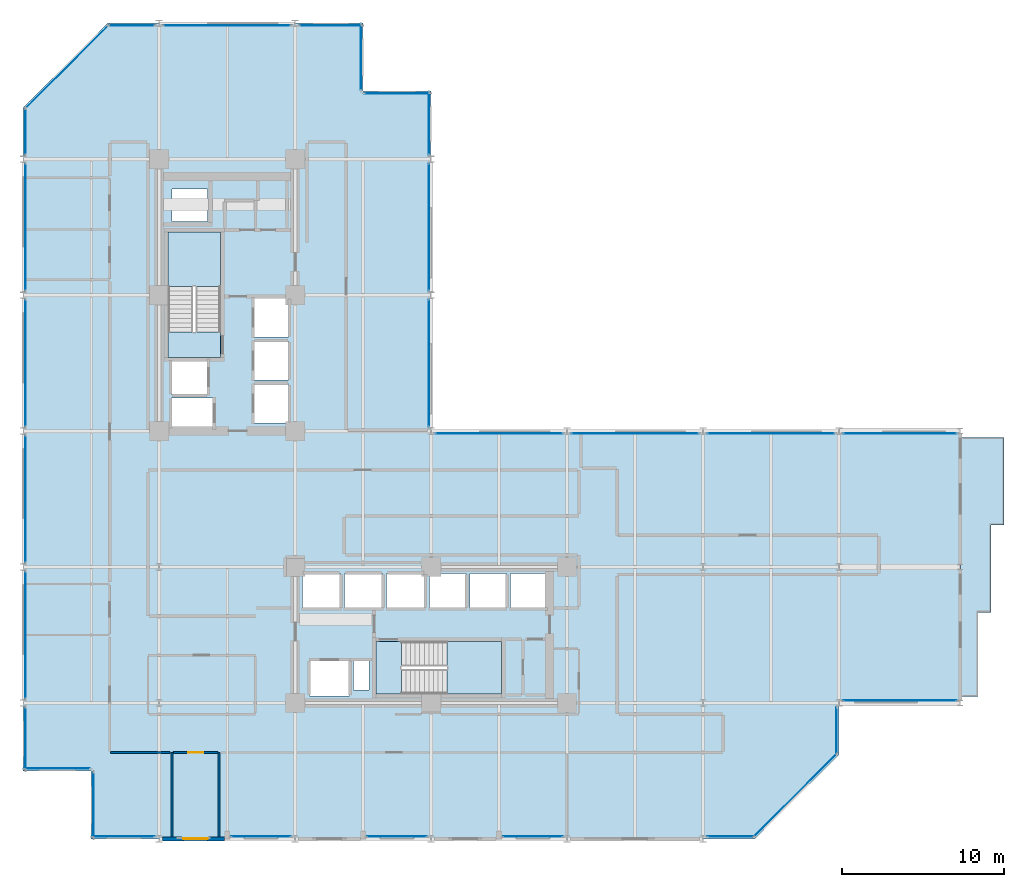
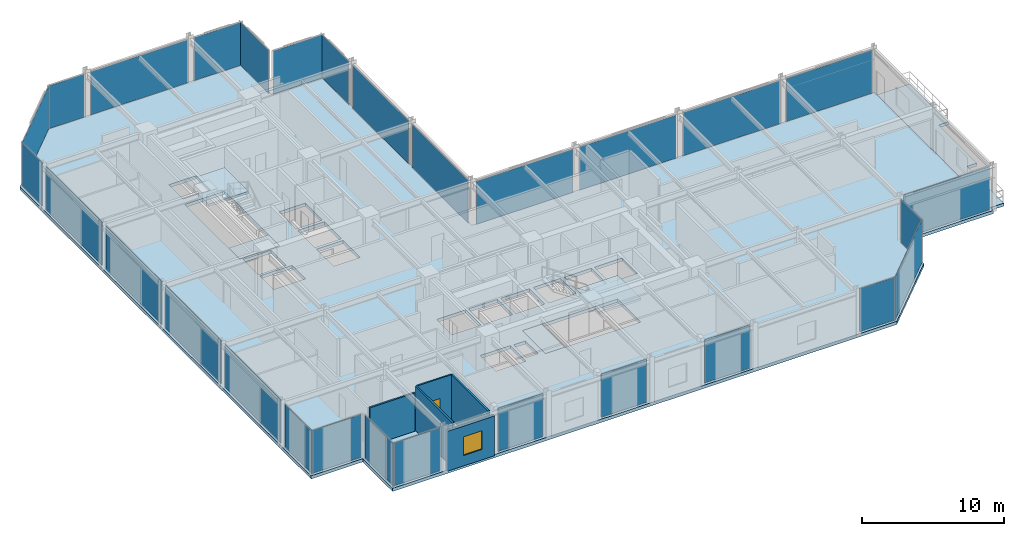
# One storey, part 31 of 38: 29 plates, 6 slabs, 5 walls, 1 door, 1 window, 2 openings, 31 elements without a shape of their own.
"""IFC4 building model written with IfcOpenShell, lengths in metres."""

from ifc_helpers import new_model, si_unit, direction, frame, frame_2d, origin, origin_2d, place, context, subcontext, project, spatial, polyline, rectangle, outline, extrude, material, layer, layer_set, type_object, element, fill, aggregate, save


model = new_model("IFC4")

# Units and contexts
model_context = context("Model", 3, precision=1e-05, world=origin(), true_north=direction((0.0, 1.0)))
body_context = subcontext(model_context, "Body", "Model", "MODEL_VIEW")
ifc_project = project(units=[si_unit("LENGTHUNIT", "METRE"), si_unit("AREAUNIT", "SQUARE_METRE"), si_unit("VOLUMEUNIT", "CUBIC_METRE"), si_unit("PLANEANGLEUNIT", "RADIAN"), si_unit("MASSUNIT", "GRAM", prefix="KILO")], contexts=[model_context])

# Site, building, storey
site_placement = place(None, origin())
site = spatial("IfcSite", under=ifc_project, at=site_placement, CompositionType="ELEMENT")
building_placement = place(site_placement, origin())
building = spatial("IfcBuilding", under=site, at=building_placement, Name="Nerrivon Quay Data Exchange", CompositionType="ELEMENT")
storey_placement = place(building_placement, frame((0.0, 0.0, 100.800048828125)))
storey = spatial("IfcBuildingStorey", under=building, at=storey_placement, Name="L23", CompositionType="ELEMENT", Elevation=100.800048828125)

# Curtain wall, plate
ifc_material_1 = material(Name="Anodised aluminium 6063-T6", Category="aluminium")
ifc_layer_1 = layer(ifc_material_1, 0.199951171875)
ifc_layer_set_1 = layer_set([ifc_layer_1], Name="Anodised aluminium 6063-T6")
curtain_wall_type_1 = type_object("IfcCurtainWallType", Name="CW-SYS-04", PredefinedType="NOTDEFINED", material=ifc_layer_set_1)
curtain_wall_1_placement = place(storey_placement, origin())
curtain_wall_1 = element("IfcCurtainWall", 1, at=curtain_wall_1_placement, inside=storey, type_object=curtain_wall_type_1, Name="L23 Unitised Curtain Wall 3", PredefinedType="NOTDEFINED")
ifc_material_2 = material(Name="Double-glazed low-E solar control glass", Category="glass")
ifc_layer_2 = layer(ifc_material_2, 0.028076171875)
ifc_layer_set_2 = layer_set([ifc_layer_2], Name="Double-glazed low-E solar control glass")
plate_type = type_object("IfcPlateType", Name="CWP-GLZ-28", PredefinedType="CURTAIN_PANEL", material=ifc_layer_set_2)
plate_1_placement = place(storey_placement, frame((54.17236328125, 8.5400390625, 0.06494140625), z_axis=(0.0, 0.0, 1.0), x_axis=(-1.0, 0.0, 0.0)))
plate_1 = element("IfcPlate", 2, at=plate_1_placement, type_object=plate_type, Name="CW04 panel 1.1", PredefinedType="CURTAIN_PANEL", context=body_context, shape_type="SweptSolid", body=[
    extrude(rectangle(XDim=6.994384765625, YDim=0.028076171875, at=origin_2d()), origin(), (0.0, 0.0, 1.0), 3.695068359375),
])
aggregate(curtain_wall_1, [plate_1])

ifc_layer_3 = layer(ifc_material_1, 0.2099609375)
ifc_layer_set_3 = layer_set([ifc_layer_3], Name="Anodised aluminium 6063-T6")
curtain_wall_type_2 = type_object("IfcCurtainWallType", Name="CW-SYS-02", PredefinedType="NOTDEFINED", material=ifc_layer_set_3)
curtain_wall_2_placement = place(storey_placement, origin())
curtain_wall_2 = element("IfcCurtainWall", 3, at=curtain_wall_2_placement, inside=storey, type_object=curtain_wall_type_2, Name="L23 Unitised Curtain Wall 4", PredefinedType="NOTDEFINED")
plate_2_placement = place(storey_placement, frame((50.260009765625, 6.699951171875, 0.06494140625), z_axis=(0.0, 0.0, 1.0), x_axis=(0.0, -1.0, 0.0)))
plate_2 = element("IfcPlate", 4, at=plate_2_placement, type_object=plate_type, Name="CW02 panel 1.1", PredefinedType="CURTAIN_PANEL", context=body_context, shape_type="SweptSolid", body=[
    extrude(rectangle(XDim=2.85009765625, YDim=0.028076171875, at=origin_2d()), origin(), (0.0, 0.0, 1.0), 3.695068359375),
])
aggregate(curtain_wall_2, [plate_2])

curtain_wall_3_placement = place(storey_placement, origin())
curtain_wall_3 = element("IfcCurtainWall", 5, at=curtain_wall_3_placement, inside=storey, type_object=curtain_wall_type_2, Name="L23 Unitised Curtain Wall 5", PredefinedType="NOTDEFINED")
plate_3_placement = place(storey_placement, frame((47.700927734375, 2.698974609375, 0.06494140625), z_axis=(0.0, 0.0, 1.0), x_axis=(-0.707106781187, -0.707106781187, 0.0)))
plate_3 = element("IfcPlate", 6, at=plate_3_placement, type_object=plate_type, Name="CW02 panel 1.1", PredefinedType="CURTAIN_PANEL", context=body_context, shape_type="SweptSolid", body=[
    extrude(rectangle(XDim=7.203857421875, YDim=0.028076171875, at=origin_2d()), origin(), (0.0, 0.0, 1.0), 3.695068359375),
])
aggregate(curtain_wall_3, [plate_3])

curtain_wall_4_placement = place(storey_placement, origin())
curtain_wall_4 = element("IfcCurtainWall", 7, at=curtain_wall_4_placement, inside=storey, type_object=curtain_wall_type_2, Name="L23 Unitised Curtain Wall 6", PredefinedType="NOTDEFINED")
plate_4_placement = place(storey_placement, frame((43.699951171875, 0.139892578125, 0.06494140625), z_axis=(0.0, 0.0, 1.0), x_axis=(-1.0, 0.0, 0.0)))
plate_4 = element("IfcPlate", 8, at=plate_4_placement, type_object=plate_type, Name="CW02 panel 1.1", PredefinedType="CURTAIN_PANEL", context=body_context, shape_type="SweptSolid", body=[
    extrude(rectangle(XDim=2.85009765625, YDim=0.028076171875, at=origin_2d()), origin(), (0.0, 0.0, 1.0), 3.695068359375),
])
aggregate(curtain_wall_4, [plate_4])

curtain_wall_5_placement = place(storey_placement, origin())
curtain_wall_5 = element("IfcCurtainWall", 9, at=curtain_wall_5_placement, inside=storey, type_object=curtain_wall_type_2, Name="L23 Unitised Curtain Wall 8", PredefinedType="NOTDEFINED")
plate_5_placement = place(storey_placement, frame((31.487548828125, 0.139892578125, 0.06494140625), z_axis=(0.0, 0.0, 1.0), x_axis=(-1.0, 0.0, 0.0)))
plate_5 = element("IfcPlate", 10, at=plate_5_placement, type_object=plate_type, Name="CW02 panel 1.1", PredefinedType="CURTAIN_PANEL", context=body_context, shape_type="SweptSolid", body=[
    extrude(rectangle(XDim=3.675048828125, YDim=0.028076171875, at=origin_2d()), origin(), (0.0, 0.0, 1.0), 3.695068359375),
])
aggregate(curtain_wall_5, [plate_5])

curtain_wall_6_placement = place(storey_placement, origin())
curtain_wall_6 = element("IfcCurtainWall", 11, at=curtain_wall_6_placement, inside=storey, type_object=curtain_wall_type_2, Name="L23 Unitised Curtain Wall 10", PredefinedType="NOTDEFINED")
plate_6_placement = place(storey_placement, frame((23.08740234375, 0.139892578125, 0.06494140625), z_axis=(0.0, 0.0, 1.0), x_axis=(-1.0, 0.0, 0.0)))
plate_6 = element("IfcPlate", 12, at=plate_6_placement, type_object=plate_type, Name="CW02 panel 1.1", PredefinedType="CURTAIN_PANEL", context=body_context, shape_type="SweptSolid", body=[
    extrude(rectangle(XDim=3.675048828125, YDim=0.028076171875, at=origin_2d()), origin(), (0.0, 0.0, 1.0), 3.695068359375),
])
aggregate(curtain_wall_6, [plate_6])

curtain_wall_7_placement = place(storey_placement, origin())
curtain_wall_7 = element("IfcCurtainWall", 13, at=curtain_wall_7_placement, inside=storey, type_object=curtain_wall_type_2, Name="L23 Unitised Curtain Wall 12", PredefinedType="NOTDEFINED")
plate_7_placement = place(storey_placement, frame((14.6875, 0.139892578125, 0.06494140625), z_axis=(0.0, 0.0, 1.0), x_axis=(-1.0, 0.0, 0.0)))
plate_7 = element("IfcPlate", 14, at=plate_7_placement, type_object=plate_type, Name="CW02 panel 1.1", PredefinedType="CURTAIN_PANEL", context=body_context, shape_type="SweptSolid", body=[
    extrude(rectangle(XDim=3.675048828125, YDim=0.028076171875, at=origin_2d()), origin(), (0.0, 0.0, 1.0), 3.695068359375),
])
aggregate(curtain_wall_7, [plate_7])

curtain_wall_8_placement = place(storey_placement, origin())
curtain_wall_8 = element("IfcCurtainWall", 15, at=curtain_wall_8_placement, inside=storey, type_object=curtain_wall_type_2, Name="L23 Unitised Curtain Wall 14", PredefinedType="NOTDEFINED")
plate_8_placement = place(storey_placement, frame((6.199951171875, 0.139892578125, 0.06494140625), z_axis=(0.0, 0.0, 1.0), x_axis=(-1.0, 0.0, 0.0)))
plate_8 = element("IfcPlate", 16, at=plate_8_placement, type_object=plate_type, Name="CW02 panel 1.1", PredefinedType="CURTAIN_PANEL", context=body_context, shape_type="SweptSolid", body=[
    extrude(rectangle(XDim=3.85009765625, YDim=0.028076171875, at=origin_2d()), origin(), (0.0, 0.0, 1.0), 3.695068359375),
])
aggregate(curtain_wall_8, [plate_8])

curtain_wall_9_placement = place(storey_placement, origin())
curtain_wall_9 = element("IfcCurtainWall", 17, at=curtain_wall_9_placement, inside=storey, type_object=curtain_wall_type_2, Name="L23 Unitised Curtain Wall 15", PredefinedType="NOTDEFINED")
plate_9_placement = place(storey_placement, frame((4.340087890625, 2.10009765625, 0.06494140625), z_axis=(0.0, 0.0, 1.0), x_axis=(0.0, 1.0, 0.0)))
plate_9 = element("IfcPlate", 18, at=plate_9_placement, type_object=plate_type, Name="CW02 panel 1.1", PredefinedType="CURTAIN_PANEL", context=body_context, shape_type="SweptSolid", body=[
    extrude(rectangle(XDim=4.050048828125, YDim=0.028076171875, at=origin_2d()), origin(), (0.0, 0.0, 1.0), 3.695068359375),
])
aggregate(curtain_wall_9, [plate_9])

curtain_wall_10_placement = place(storey_placement, origin())
curtain_wall_10 = element("IfcCurtainWall", 19, at=curtain_wall_10_placement, inside=storey, type_object=curtain_wall_type_2, Name="L23 Unitised Curtain Wall 16", PredefinedType="NOTDEFINED")
plate_10_placement = place(storey_placement, frame((2.10009765625, 4.340087890625, 0.06494140625), z_axis=(0.0, 0.0, 1.0), x_axis=(-1.0, 0.0, 0.0)))
plate_10 = element("IfcPlate", 20, at=plate_10_placement, type_object=plate_type, Name="CW02 panel 1.1", PredefinedType="CURTAIN_PANEL", context=body_context, shape_type="SweptSolid", body=[
    extrude(rectangle(XDim=4.050048828125, YDim=0.028076171875, at=origin_2d()), origin(), (0.0, 0.0, 1.0), 3.695068359375),
])
aggregate(curtain_wall_10, [plate_10])

curtain_wall_11_placement = place(storey_placement, origin())
curtain_wall_11 = element("IfcCurtainWall", 21, at=curtain_wall_11_placement, inside=storey, type_object=curtain_wall_type_2, Name="L23 Unitised Curtain Wall 17", PredefinedType="NOTDEFINED")
plate_11_placement = place(storey_placement, frame((0.139892578125, 6.199951171875, 0.06494140625), z_axis=(0.0, 0.0, 1.0), x_axis=(0.0, 1.0, 0.0)))
plate_11 = element("IfcPlate", 22, at=plate_11_placement, type_object=plate_type, Name="CW02 panel 1.1", PredefinedType="CURTAIN_PANEL", context=body_context, shape_type="SweptSolid", body=[
    extrude(rectangle(XDim=3.85009765625, YDim=0.028076171875, at=origin_2d()), origin(), (0.0, 0.0, 1.0), 3.695068359375),
])
aggregate(curtain_wall_11, [plate_11])

curtain_wall_12_placement = place(storey_placement, origin())
curtain_wall_12 = element("IfcCurtainWall", 23, at=curtain_wall_12_placement, inside=storey, type_object=curtain_wall_type_2, Name="L23 Unitised Curtain Wall 18", PredefinedType="NOTDEFINED")
plate_12_placement = place(storey_placement, frame((0.139892578125, 12.60009765625, 0.06494140625), z_axis=(0.0, 0.0, 1.0), x_axis=(0.0, 1.0, 0.0)))
plate_12 = element("IfcPlate", 24, at=plate_12_placement, type_object=plate_type, Name="CW02 panel 1.1", PredefinedType="CURTAIN_PANEL", context=body_context, shape_type="SweptSolid", body=[
    extrude(rectangle(XDim=7.85009765625, YDim=0.028076171875, at=origin_2d()), origin(), (0.0, 0.0, 1.0), 3.695068359375),
])
aggregate(curtain_wall_12, [plate_12])

curtain_wall_13_placement = place(storey_placement, origin())
curtain_wall_13 = element("IfcCurtainWall", 25, at=curtain_wall_13_placement, inside=storey, type_object=curtain_wall_type_2, Name="L23 Unitised Curtain Wall 19", PredefinedType="NOTDEFINED")
plate_13_placement = place(storey_placement, frame((0.139892578125, 21.0, 0.06494140625), z_axis=(0.0, 0.0, 1.0), x_axis=(0.0, 1.0, 0.0)))
plate_13 = element("IfcPlate", 26, at=plate_13_placement, type_object=plate_type, Name="CW02 panel 1.1", PredefinedType="CURTAIN_PANEL", context=body_context, shape_type="SweptSolid", body=[
    extrude(rectangle(XDim=7.85009765625, YDim=0.028076171875, at=origin_2d()), origin(), (0.0, 0.0, 1.0), 3.695068359375),
])
aggregate(curtain_wall_13, [plate_13])

curtain_wall_14_placement = place(storey_placement, origin())
curtain_wall_14 = element("IfcCurtainWall", 27, at=curtain_wall_14_placement, inside=storey, type_object=curtain_wall_type_2, Name="L23 Unitised Curtain Wall 20", PredefinedType="NOTDEFINED")
plate_14_placement = place(storey_placement, frame((0.139892578125, 29.39990234375, 0.06494140625), z_axis=(0.0, 0.0, 1.0), x_axis=(0.0, 1.0, 0.0)))
plate_14 = element("IfcPlate", 28, at=plate_14_placement, type_object=plate_type, Name="CW02 panel 1.1", PredefinedType="CURTAIN_PANEL", context=body_context, shape_type="SweptSolid", body=[
    extrude(rectangle(XDim=7.85009765625, YDim=0.028076171875, at=origin_2d()), origin(), (0.0, 0.0, 1.0), 3.695068359375),
])
aggregate(curtain_wall_14, [plate_14])

curtain_wall_15_placement = place(storey_placement, origin())
curtain_wall_15 = element("IfcCurtainWall", 29, at=curtain_wall_15_placement, inside=storey, type_object=curtain_wall_type_2, Name="L23 Unitised Curtain Wall 21", PredefinedType="NOTDEFINED")
plate_15_placement = place(storey_placement, frame((0.139892578125, 37.800048828125, 0.06494140625), z_axis=(0.0, 0.0, 1.0), x_axis=(0.0, 1.0, 0.0)))
plate_15 = element("IfcPlate", 30, at=plate_15_placement, type_object=plate_type, Name="CW02 panel 1.1", PredefinedType="CURTAIN_PANEL", context=body_context, shape_type="SweptSolid", body=[
    extrude(rectangle(XDim=7.85009765625, YDim=0.028076171875, at=origin_2d()), origin(), (0.0, 0.0, 1.0), 3.695068359375),
])
aggregate(curtain_wall_15, [plate_15])

curtain_wall_16_placement = place(storey_placement, origin())
curtain_wall_16 = element("IfcCurtainWall", 31, at=curtain_wall_16_placement, inside=storey, type_object=curtain_wall_type_2, Name="L23 Unitised Curtain Wall 22", PredefinedType="NOTDEFINED")
plate_16_placement = place(storey_placement, frame((0.139892578125, 43.699951171875, 0.06494140625), z_axis=(0.0, 0.0, 1.0), x_axis=(0.0, 1.0, 0.0)))
plate_16 = element("IfcPlate", 32, at=plate_16_placement, type_object=plate_type, Name="CW02 panel 1.1", PredefinedType="CURTAIN_PANEL", context=body_context, shape_type="SweptSolid", body=[
    extrude(rectangle(XDim=2.85009765625, YDim=0.028076171875, at=origin_2d()), origin(), (0.0, 0.0, 1.0), 3.695068359375),
])
aggregate(curtain_wall_16, [plate_16])

curtain_wall_17_placement = place(storey_placement, origin())
curtain_wall_17 = element("IfcCurtainWall", 33, at=curtain_wall_17_placement, inside=storey, type_object=curtain_wall_type_2, Name="L23 Unitised Curtain Wall 23", PredefinedType="NOTDEFINED")
plate_17_placement = place(storey_placement, frame((2.698974609375, 47.700927734375, 0.06494140625), z_axis=(0.0, 0.0, 1.0), x_axis=(0.707106781187, 0.707106781187, 0.0)))
plate_17 = element("IfcPlate", 34, at=plate_17_placement, type_object=plate_type, Name="CW02 panel 1.1", PredefinedType="CURTAIN_PANEL", context=body_context, shape_type="SweptSolid", body=[
    extrude(rectangle(XDim=7.203857421875, YDim=0.028076171875, at=origin_2d()), origin(), (0.0, 0.0, 1.0), 3.695068359375),
])
aggregate(curtain_wall_17, [plate_17])

curtain_wall_18_placement = place(storey_placement, origin())
curtain_wall_18 = element("IfcCurtainWall", 35, at=curtain_wall_18_placement, inside=storey, type_object=curtain_wall_type_2, Name="L23 Unitised Curtain Wall 24", PredefinedType="NOTDEFINED")
plate_18_placement = place(storey_placement, frame((6.699951171875, 50.260009765625, 0.06494140625), z_axis=(0.0, 0.0, 1.0), x_axis=(1.0, 0.0, 0.0)))
plate_18 = element("IfcPlate", 36, at=plate_18_placement, type_object=plate_type, Name="CW02 panel 1.1", PredefinedType="CURTAIN_PANEL", context=body_context, shape_type="SweptSolid", body=[
    extrude(rectangle(XDim=2.85009765625, YDim=0.028076171875, at=origin_2d()), origin(), (0.0, 0.0, 1.0), 3.695068359375),
])
aggregate(curtain_wall_18, [plate_18])

curtain_wall_19_placement = place(storey_placement, origin())
curtain_wall_19 = element("IfcCurtainWall", 37, at=curtain_wall_19_placement, inside=storey, type_object=curtain_wall_type_2, Name="L23 Unitised Curtain Wall 25", PredefinedType="NOTDEFINED")
plate_19_placement = place(storey_placement, frame((12.60009765625, 50.260009765625, 0.06494140625), z_axis=(0.0, 0.0, 1.0), x_axis=(1.0, 0.0, 0.0)))
plate_19 = element("IfcPlate", 38, at=plate_19_placement, type_object=plate_type, Name="CW02 panel 1.1", PredefinedType="CURTAIN_PANEL", context=body_context, shape_type="SweptSolid", body=[
    extrude(rectangle(XDim=7.85009765625, YDim=0.028076171875, at=origin_2d()), origin(), (0.0, 0.0, 1.0), 3.695068359375),
])
aggregate(curtain_wall_19, [plate_19])

curtain_wall_20_placement = place(storey_placement, origin())
curtain_wall_20 = element("IfcCurtainWall", 39, at=curtain_wall_20_placement, inside=storey, type_object=curtain_wall_type_2, Name="L23 Unitised Curtain Wall 26", PredefinedType="NOTDEFINED")
plate_20_placement = place(storey_placement, frame((19.0, 50.260009765625, 0.06494140625), z_axis=(0.0, 0.0, 1.0), x_axis=(1.0, 0.0, 0.0)))
plate_20 = element("IfcPlate", 40, at=plate_20_placement, type_object=plate_type, Name="CW02 panel 1.1", PredefinedType="CURTAIN_PANEL", context=body_context, shape_type="SweptSolid", body=[
    extrude(rectangle(XDim=3.85009765625, YDim=0.028076171875, at=origin_2d()), origin(), (0.0, 0.0, 1.0), 3.695068359375),
])
aggregate(curtain_wall_20, [plate_20])

curtain_wall_21_placement = place(storey_placement, origin())
curtain_wall_21 = element("IfcCurtainWall", 41, at=curtain_wall_21_placement, inside=storey, type_object=curtain_wall_type_2, Name="L23 Unitised Curtain Wall 27", PredefinedType="NOTDEFINED")
plate_21_placement = place(storey_placement, frame((20.860107421875, 48.300048828125, 0.06494140625), z_axis=(0.0, 0.0, 1.0), x_axis=(0.0, -1.0, 0.0)))
plate_21 = element("IfcPlate", 42, at=plate_21_placement, type_object=plate_type, Name="CW02 panel 1.1", PredefinedType="CURTAIN_PANEL", context=body_context, shape_type="SweptSolid", body=[
    extrude(rectangle(XDim=4.050048828125, YDim=0.028076171875, at=origin_2d()), origin(), (0.0, 0.0, 1.0), 3.695068359375),
])
aggregate(curtain_wall_21, [plate_21])

curtain_wall_22_placement = place(storey_placement, origin())
curtain_wall_22 = element("IfcCurtainWall", 43, at=curtain_wall_22_placement, inside=storey, type_object=curtain_wall_type_2, Name="L23 Unitised Curtain Wall 28", PredefinedType="NOTDEFINED")
plate_22_placement = place(storey_placement, frame((23.10009765625, 46.06005859375, 0.06494140625), z_axis=(0.0, 0.0, 1.0), x_axis=(1.0, 0.0, 0.0)))
plate_22 = element("IfcPlate", 44, at=plate_22_placement, type_object=plate_type, Name="CW02 panel 1.1", PredefinedType="CURTAIN_PANEL", context=body_context, shape_type="SweptSolid", body=[
    extrude(rectangle(XDim=4.050048828125, YDim=0.028076171875, at=origin_2d()), origin(), (0.0, 0.0, 1.0), 3.695068359375),
])
aggregate(curtain_wall_22, [plate_22])

curtain_wall_23_placement = place(storey_placement, origin())
curtain_wall_23 = element("IfcCurtainWall", 45, at=curtain_wall_23_placement, inside=storey, type_object=curtain_wall_type_2, Name="L23 Unitised Curtain Wall 29", PredefinedType="NOTDEFINED")
plate_23_placement = place(storey_placement, frame((25.06005859375, 44.199951171875, 0.06494140625), z_axis=(0.0, 0.0, 1.0), x_axis=(0.0, -1.0, 0.0)))
plate_23 = element("IfcPlate", 46, at=plate_23_placement, type_object=plate_type, Name="CW02 panel 1.1", PredefinedType="CURTAIN_PANEL", context=body_context, shape_type="SweptSolid", body=[
    extrude(rectangle(XDim=3.85009765625, YDim=0.028076171875, at=origin_2d()), origin(), (0.0, 0.0, 1.0), 3.695068359375),
])
aggregate(curtain_wall_23, [plate_23])

curtain_wall_24_placement = place(storey_placement, origin())
curtain_wall_24 = element("IfcCurtainWall", 47, at=curtain_wall_24_placement, inside=storey, type_object=curtain_wall_type_2, Name="L23 Unitised Curtain Wall 30", PredefinedType="NOTDEFINED")
plate_24_placement = place(storey_placement, frame((25.06005859375, 37.800048828125, 0.06494140625), z_axis=(0.0, 0.0, 1.0), x_axis=(0.0, -1.0, 0.0)))
plate_24 = element("IfcPlate", 48, at=plate_24_placement, type_object=plate_type, Name="CW02 panel 1.1", PredefinedType="CURTAIN_PANEL", context=body_context, shape_type="SweptSolid", body=[
    extrude(rectangle(XDim=7.85009765625, YDim=0.028076171875, at=origin_2d()), origin(), (0.0, 0.0, 1.0), 3.695068359375),
])
aggregate(curtain_wall_24, [plate_24])

curtain_wall_25_placement = place(storey_placement, origin())
curtain_wall_25 = element("IfcCurtainWall", 49, at=curtain_wall_25_placement, inside=storey, type_object=curtain_wall_type_2, Name="L23 Unitised Curtain Wall 31", PredefinedType="NOTDEFINED")
plate_25_placement = place(storey_placement, frame((25.06005859375, 29.39990234375, 0.06494140625), z_axis=(0.0, 0.0, 1.0), x_axis=(0.0, -1.0, 0.0)))
plate_25 = element("IfcPlate", 50, at=plate_25_placement, type_object=plate_type, Name="CW02 panel 1.1", PredefinedType="CURTAIN_PANEL", context=body_context, shape_type="SweptSolid", body=[
    extrude(rectangle(XDim=7.85009765625, YDim=0.028076171875, at=origin_2d()), origin(), (0.0, 0.0, 1.0), 3.695068359375),
])
aggregate(curtain_wall_25, [plate_25])

curtain_wall_26_placement = place(storey_placement, origin())
curtain_wall_26 = element("IfcCurtainWall", 51, at=curtain_wall_26_placement, inside=storey, type_object=curtain_wall_type_2, Name="L23 Unitised Curtain Wall 32", PredefinedType="NOTDEFINED")
plate_26_placement = place(storey_placement, frame((29.39990234375, 25.06005859375, 0.06494140625), z_axis=(0.0, 0.0, 1.0), x_axis=(1.0, 0.0, 0.0)))
plate_26 = element("IfcPlate", 52, at=plate_26_placement, type_object=plate_type, Name="CW02 panel 1.1", PredefinedType="CURTAIN_PANEL", context=body_context, shape_type="SweptSolid", body=[
    extrude(rectangle(XDim=7.85009765625, YDim=0.028076171875, at=origin_2d()), origin(), (0.0, 0.0, 1.0), 3.695068359375),
])
aggregate(curtain_wall_26, [plate_26])

curtain_wall_27_placement = place(storey_placement, origin())
curtain_wall_27 = element("IfcCurtainWall", 53, at=curtain_wall_27_placement, inside=storey, type_object=curtain_wall_type_2, Name="L23 Unitised Curtain Wall 33", PredefinedType="NOTDEFINED")
plate_27_placement = place(storey_placement, frame((37.800048828125, 25.06005859375, 0.06494140625), z_axis=(0.0, 0.0, 1.0), x_axis=(1.0, 0.0, 0.0)))
plate_27 = element("IfcPlate", 54, at=plate_27_placement, type_object=plate_type, Name="CW02 panel 1.1", PredefinedType="CURTAIN_PANEL", context=body_context, shape_type="SweptSolid", body=[
    extrude(rectangle(XDim=7.85009765625, YDim=0.028076171875, at=origin_2d()), origin(), (0.0, 0.0, 1.0), 3.695068359375),
])
aggregate(curtain_wall_27, [plate_27])

curtain_wall_28_placement = place(storey_placement, origin())
curtain_wall_28 = element("IfcCurtainWall", 55, at=curtain_wall_28_placement, inside=storey, type_object=curtain_wall_type_2, Name="L23 Unitised Curtain Wall 34", PredefinedType="NOTDEFINED")
plate_28_placement = place(storey_placement, frame((46.199951171875, 25.06005859375, 0.06494140625), z_axis=(0.0, 0.0, 1.0), x_axis=(1.0, 0.0, 0.0)))
plate_28 = element("IfcPlate", 56, at=plate_28_placement, type_object=plate_type, Name="CW02 panel 1.1", PredefinedType="CURTAIN_PANEL", context=body_context, shape_type="SweptSolid", body=[
    extrude(rectangle(XDim=7.85009765625, YDim=0.028076171875, at=origin_2d()), origin(), (0.0, 0.0, 1.0), 3.695068359375),
])
aggregate(curtain_wall_28, [plate_28])

curtain_wall_29_placement = place(storey_placement, origin())
curtain_wall_29 = element("IfcCurtainWall", 57, at=curtain_wall_29_placement, inside=storey, type_object=curtain_wall_type_1, Name="L23 Unitised Curtain Wall 35", PredefinedType="NOTDEFINED")
plate_29_placement = place(storey_placement, frame((54.17236328125, 25.06005859375, 0.06494140625), z_axis=(0.0, 0.0, 1.0), x_axis=(1.0, 0.0, 0.0)))
plate_29 = element("IfcPlate", 58, at=plate_29_placement, type_object=plate_type, Name="CW04 panel 1.1", PredefinedType="CURTAIN_PANEL", context=body_context, shape_type="SweptSolid", body=[
    extrude(rectangle(XDim=6.994384765625, YDim=0.028076171875, at=origin_2d()), origin(), (0.0, 0.0, 1.0), 3.695068359375),
])
aggregate(curtain_wall_29, [plate_29])

# Slab
ifc_material_3 = material(Name="Precast white architectural concrete N50 (50 MPa)", Category="concrete")
ifc_layer_4 = layer(ifc_material_3, 0.25)
ifc_layer_set_4 = layer_set([ifc_layer_4], Name="Precast white architectural concrete N50 (50 MPa)")
slab_type_1 = type_object("IfcSlabType", Name="SLB-BAL-250", PredefinedType="FLOOR", material=ifc_layer_set_4)
slab_1_placement = place(storey_placement, frame((0.0, 0.0, -0.25)))
element("IfcSlab", 59, at=slab_1_placement, inside=storey, type_object=slab_type_1, Name="L23 East Hooked Drifting Verandah", PredefinedType="FLOOR", context=body_context, shape_type="SweptSolid", body=[
    extrude(outline(polyline([(59.0, 14.0), (59.800048828125, 14.0), (59.800048828125, 19.39990234375), (60.60009765625, 19.39990234375), (60.60009765625, 24.800048828125), (57.89990234375, 24.800048828125), (57.89990234375, 19.39990234375), (57.89990234375, 14.0), (57.89990234375, 8.800048828125), (59.0, 8.800048828125), (59.0, 14.0)])), origin(), (0.0, 0.0, 1.0), 0.25),
])

# Stair, slab
ifc_material_4 = material(Name="Concrete N50 (50 MPa)", Category="concrete")
stair_type = type_object("IfcStairType", Name="STAIR-DOG-41", PredefinedType="HALF_TURN_STAIR", material=ifc_material_4)
stair_1_placement = place(storey_placement, origin())
stair_1 = element("IfcStair", 60, at=stair_1_placement, inside=storey, type_object=stair_type, Name="L23 West Core Fire Stair ST01", PredefinedType="HALF_TURN_STAIR")
ifc_layer_5 = layer(ifc_material_4, 0.199951171875)
ifc_layer_set_5 = layer_set([ifc_layer_5], Name="Concrete N50 (50 MPa)")
slab_type_2 = type_object("IfcSlabType", Name="SLB-LAND-200", PredefinedType="LANDING", material=ifc_layer_set_5)
slab_2_placement = place(storey_placement, frame((0.0, 0.0, 1.849853515625)))
slab_2 = element("IfcSlab", 61, at=slab_2_placement, type_object=slab_type_2, Name="ST01 landing 1", PredefinedType="LANDING", context=body_context, shape_type="SweptSolid", body=[
    extrude(outline(polyline([(12.199951171875, 34.1298828125), (12.199951171875, 37.5), (8.949951171875, 37.5), (8.949951171875, 34.1298828125), (12.199951171875, 34.1298828125)])), origin(), (0.0, 0.0, 1.0), 0.2001953125),
])
aggregate(stair_1, [slab_2])

# Slab
slab_3_placement = place(storey_placement, frame((0.0, 0.0, -0.199951171875)))
element("IfcSlab", 62, at=slab_3_placement, inside=storey, type_object=slab_type_2, Name="L23 ST01 floor landing", PredefinedType="LANDING", context=body_context, shape_type="SweptSolid", body=[
    extrude(outline(polyline([(12.199951171875, 29.75), (12.199951171875, 31.330078125), (8.949951171875, 31.330078125), (8.949951171875, 29.75), (12.199951171875, 29.75)])), origin(), (0.0, 0.0, 1.0), 0.199951171875),
])

# Stair, slab
stair_2_placement = place(storey_placement, origin())
stair_2 = element("IfcStair", 63, at=stair_2_placement, inside=storey, type_object=stair_type, Name="L23 East Core Fire Stair ST02", PredefinedType="HALF_TURN_STAIR")
slab_4_placement = place(storey_placement, frame((0.0, 0.0, 1.849853515625)))
slab_4 = element("IfcSlab", 64, at=slab_4_placement, type_object=slab_type_2, Name="ST02 landing 1", PredefinedType="LANDING", context=body_context, shape_type="SweptSolid", body=[
    extrude(outline(polyline([(26.179931640625, 8.949951171875), (29.550048828125, 8.949951171875), (29.550048828125, 12.199951171875), (26.179931640625, 12.199951171875), (26.179931640625, 8.949951171875)])), origin(), (0.0, 0.0, 1.0), 0.2001953125),
])
aggregate(stair_2, [slab_4])

# Slabs
slab_5_placement = place(storey_placement, frame((0.0, 0.0, -0.199951171875)))
element("IfcSlab", 65, at=slab_5_placement, inside=storey, type_object=slab_type_2, Name="L23 ST02 floor landing", PredefinedType="LANDING", context=body_context, shape_type="SweptSolid", body=[
    extrude(outline(polyline([(21.800048828125, 8.949951171875), (23.3798828125, 8.949951171875), (23.3798828125, 12.199951171875), (21.800048828125, 12.199951171875), (21.800048828125, 8.949951171875)])), origin(), (0.0, 0.0, 1.0), 0.199951171875),
])
ifc_layer_6 = layer(ifc_material_4, 0.27490234375)
ifc_layer_set_6 = layer_set([ifc_layer_6], Name="Concrete N50 (50 MPa)")
slab_type_3 = type_object("IfcSlabType", Name="SLB-TOW-275", PredefinedType="FLOOR", material=ifc_layer_set_6)
slab_6_placement = place(storey_placement, frame((0.0, 0.0, -0.275146484375)))
element("IfcSlab", 66, at=slab_6_placement, inside=storey, type_object=slab_type_3, Name="L23 Primary Structural Slab", PredefinedType="FLOOR", context=body_context, shape_type="SweptSolid", body=[
    extrude(outline(polyline([(25.199951171875, 25.199951171875), (25.199951171875, 46.199951171875), (21.0, 46.199951171875), (21.0, 50.39990234375), (5.199951171875, 50.39990234375), (0.0, 45.199951171875), (0.0, 4.199951171875), (4.199951171875, 4.199951171875), (4.199951171875, 0.0), (45.199951171875, 0.0), (50.39990234375, 5.199951171875), (50.39990234375, 8.39990234375), (57.89990234375, 8.39990234375), (57.89990234375, 25.199951171875), (25.199951171875, 25.199951171875)]), holes=[polyline([(8.949951171875, 29.75), (8.949951171875, 37.5), (12.199951171875, 37.5), (12.199951171875, 29.75), (8.949951171875, 29.75)]), polyline([(21.800048828125, 12.199951171875), (29.550048828125, 12.199951171875), (29.550048828125, 8.949951171875), (21.800048828125, 8.949951171875), (21.800048828125, 12.199951171875)]), polyline([(30.10009765625, 16.39990234375), (32.35009765625, 16.39990234375), (32.35009765625, 14.25), (30.10009765625, 14.25), (30.10009765625, 16.39990234375)]), polyline([(27.60009765625, 16.39990234375), (29.85009765625, 16.39990234375), (29.85009765625, 14.25), (27.60009765625, 14.25), (27.60009765625, 16.39990234375)]), polyline([(25.10009765625, 16.39990234375), (27.35009765625, 16.39990234375), (27.35009765625, 14.25), (25.10009765625, 14.25), (25.10009765625, 16.39990234375)]), polyline([(22.449951171875, 16.39990234375), (24.800048828125, 16.39990234375), (24.800048828125, 14.25), (22.449951171875, 14.25), (22.449951171875, 16.39990234375)]), polyline([(19.85009765625, 16.39990234375), (22.199951171875, 16.39990234375), (22.199951171875, 14.25), (19.85009765625, 14.25), (19.85009765625, 16.39990234375)]), polyline([(20.39990234375, 11.0), (21.35009765625, 11.0), (21.35009765625, 9.199951171875), (20.39990234375, 9.199951171875), (20.39990234375, 11.0)]), polyline([(17.699951171875, 8.830078125), (17.699951171875, 11.030029296875), (20.14990234375, 11.030029296875), (20.14990234375, 8.830078125), (17.699951171875, 8.830078125)]), polyline([(17.25, 14.25), (17.25, 16.39990234375), (19.60009765625, 16.39990234375), (19.60009765625, 14.25), (17.25, 14.25)]), polyline([(14.25, 28.10009765625), (16.39990234375, 28.10009765625), (16.39990234375, 25.699951171875), (14.25, 25.699951171875), (14.25, 28.10009765625)]), polyline([(14.25, 30.75), (16.39990234375, 30.75), (16.39990234375, 28.35009765625), (14.25, 28.35009765625), (14.25, 30.75)]), polyline([(14.25, 33.39990234375), (16.39990234375, 33.39990234375), (16.39990234375, 31.0), (14.25, 31.0), (14.25, 33.39990234375)]), polyline([(9.14990234375, 27.25), (11.75, 27.25), (11.75, 25.35009765625), (9.14990234375, 25.35009765625), (9.14990234375, 27.25)]), polyline([(9.14990234375, 29.60009765625), (11.39990234375, 29.60009765625), (11.39990234375, 27.449951171875), (9.14990234375, 27.449951171875), (9.14990234375, 29.60009765625)]), polyline([(9.199951171875, 40.14990234375), (11.39990234375, 40.14990234375), (11.39990234375, 38.14990234375), (9.199951171875, 38.14990234375), (9.199951171875, 40.14990234375)])]), origin(), (0.0, 0.0, 1.0), 0.275146484375),
])

# Wall, opening, window
ifc_material_5 = material(Name="Architectural terracotta precast concrete N50 (50 MPa)", Category="masonry")
ifc_layer_7 = layer(ifc_material_5, 0.239990234375)
ifc_layer_set_7 = layer_set([ifc_layer_7], Name="Architectural terracotta precast concrete N50 (50 MPa)")
wall_type_1 = type_object("IfcWallType", Name="EW-PREC-240", PredefinedType="STANDARD", material=ifc_layer_set_7)
wall_1_placement = place(storey_placement, frame((12.425048828125, 0.0, 0.0), z_axis=(0.0, 0.0, 1.0), x_axis=(-1.0, 0.0, 0.0)))
wall_1 = element("IfcWall", 67, at=wall_1_placement, inside=storey, type_object=wall_type_1, Name="L23 Podium Precast Spandrel Wall 13", PredefinedType="STANDARD", context=body_context, shape_type="SweptSolid", body=[
    extrude(rectangle(XDim=3.824951171875, YDim=0.239990234375, at=frame_2d((1.91259765625, 0.0))), origin(), (0.0, 0.0, 1.0), 3.421875),
])
opening_1_placement = place(wall_1_placement, frame((1.02490234375, 0.0, 0.89990234375)))
opening_1 = element("IfcOpeningElement", 68, at=opening_1_placement, cuts=wall_1, Name="Opening WN4", PredefinedType="OPENING", context=body_context, shape_type="SweptSolid", body=[
    extrude(rectangle(XDim=1.5, YDim=1.60009765625, at=frame_2d((0.75, 0.800048828125))), frame((0.0, 0.1298828125, 0.0), z_axis=(0.0, -1.0, 0.0), x_axis=(1.0, 0.0, 0.0)), (0.0, 0.0, 1.0), 0.260009765625),
])
window_type = type_object("IfcWindowType", Name="WIN-W4-1500x1600", PartitioningType="SINGLE_PANEL", PredefinedType="WINDOW", material=ifc_material_2)
window_placement = place(opening_1_placement, origin())
window = element("IfcWindow", 69, at=window_placement, inside=storey, type_object=window_type, Name="L23 Solar Facade Window 13", OverallHeight=1.60009765625, OverallWidth=1.5, PartitioningType="SINGLE_PANEL", PredefinedType="WINDOW", context=body_context, shape_type="SweptSolid", body=[
    extrude(rectangle(XDim=1.5, YDim=1.60009765625, at=frame_2d((0.75, 0.800048828125))), frame((0.0, 0.030029296875, 0.0), z_axis=(0.0, -1.0, 0.0), x_axis=(1.0, 0.0, 0.0)), (0.0, 0.0, 1.0), 0.06005859375),
])
fill(opening_1, window)

# Wall, opening, door
ifc_material_6 = material(Name="Gypsum plasterboard on cold-formed framing", Category="gypsum")
ifc_layer_8 = layer(ifc_material_6, 0.1201171875)
ifc_layer_set_8 = layer_set([ifc_layer_8], Name="Gypsum plasterboard on cold-formed framing")
wall_type_2 = type_object("IfcWallType", Name="WALL-PT-120", PredefinedType="PARTITIONING", material=ifc_layer_set_8)
wall_2_placement = place(storey_placement, frame((12.028564453125, 5.340087890625, 0.0), z_axis=(0.0, 0.0, 1.0), x_axis=(-1.0, 0.0, 0.0)))
wall_2 = element("IfcWall", 70, at=wall_2_placement, inside=storey, type_object=wall_type_2, Name="L23 Partition Accessible Unisex Toilet", PredefinedType="PARTITIONING", context=body_context, shape_type="SweptSolid", body=[
    extrude(rectangle(XDim=2.757080078125, YDim=0.1201171875, at=frame_2d((1.37841796875, 0.0))), origin(), (0.0, 0.0, 1.0), 3.824951171875),
])
opening_2_placement = place(wall_2_placement, frame((0.91845703125, 0.0, 0.0)))
opening_2 = element("IfcOpeningElement", 71, at=opening_2_placement, cuts=wall_2, Name="Opening D-WC", PredefinedType="OPENING", context=body_context, shape_type="SweptSolid", body=[
    extrude(rectangle(XDim=0.919921875, YDim=2.10009765625, at=frame_2d((0.4599609375, 1.050048828125))), frame((0.0, 0.070068359375, 0.0), z_axis=(0.0, -1.0, 0.0), x_axis=(1.0, 0.0, 0.0)), (0.0, 0.0, 1.0), 0.14013671875),
])
ifc_material_7 = material(Name="Engineered hardwood timber", Category="wood")
door_type = type_object("IfcDoorType", Name="DR-WC-920", OperationType="NOTDEFINED", PredefinedType="DOOR", material=ifc_material_7)
door_placement = place(opening_2_placement, origin())
door = element("IfcDoor", 72, at=door_placement, inside=storey, type_object=door_type, Name="L23 Door Accessible Unisex Toilet", OperationType="SINGLE_SWING_RIGHT", OverallHeight=2.10009765625, OverallWidth=0.919921875, PredefinedType="DOOR", context=body_context, shape_type="SweptSolid", body=[
    extrude(rectangle(XDim=0.919921875, YDim=2.10009765625, at=frame_2d((0.4599609375, 1.050048828125))), frame((0.0, 0.02490234375, 0.0), z_axis=(0.0, -1.0, 0.0), x_axis=(1.0, 0.0, 0.0)), (0.0, 0.0, 1.0), 0.050048828125),
])
fill(opening_2, door)

# Walls
ifc_layer_9 = layer(ifc_material_6, 0.135009765625)
ifc_layer_set_9 = layer_set([ifc_layer_9], Name="Gypsum plasterboard on cold-formed framing")
wall_type_3 = type_object("IfcWallType", Name="WALL-PT-135", PredefinedType="PARTITIONING", material=ifc_layer_set_9)
for number, where, z_axis, x_axis, name in (
    (73, (9.199951171875, 5.340087890625, 0.0), (0.0, 0.0, 1.0), (0.0, -1.0, 0.0), "L23 Partition Accessible Unisex Toilet"),
    (74, (12.10009765625, 0.1240234375, 0.0), (0.0, 0.0, 1.0), (0.0, 1.0, 0.0), "L23 Partition Accessible Unisex Toilet"),
):
    element("IfcWall", number, at=place(storey_placement, frame(where, z_axis=z_axis, x_axis=x_axis)), inside=storey, type_object=wall_type_3, Name=name, PredefinedType="PARTITIONING", context=body_context, shape_type="SweptSolid", body=[
        extrude(rectangle(XDim=5.216064453125, YDim=0.135009765625, at=frame_2d((2.60791015625, 0.0))), origin(), (0.0, 0.0, 1.0), 3.824951171875),
    ])
wall_3_placement = place(storey_placement, frame((9.080078125, 5.340087890625, 0.0), z_axis=(0.0, 0.0, 1.0), x_axis=(-1.0, 0.0, 0.0)))
element("IfcWall", 75, at=wall_3_placement, inside=storey, type_object=wall_type_3, Name="L23 Partition Cloud Compute Workspace 1", PredefinedType="PARTITIONING", context=body_context, shape_type="SweptSolid", body=[
    extrude(rectangle(XDim=3.68017578125, YDim=0.135009765625, at=frame_2d((1.840087890625, 0.0))), origin(), (0.0, 0.0, 1.0), 3.296875),
])

save(model, "model.ifc")
